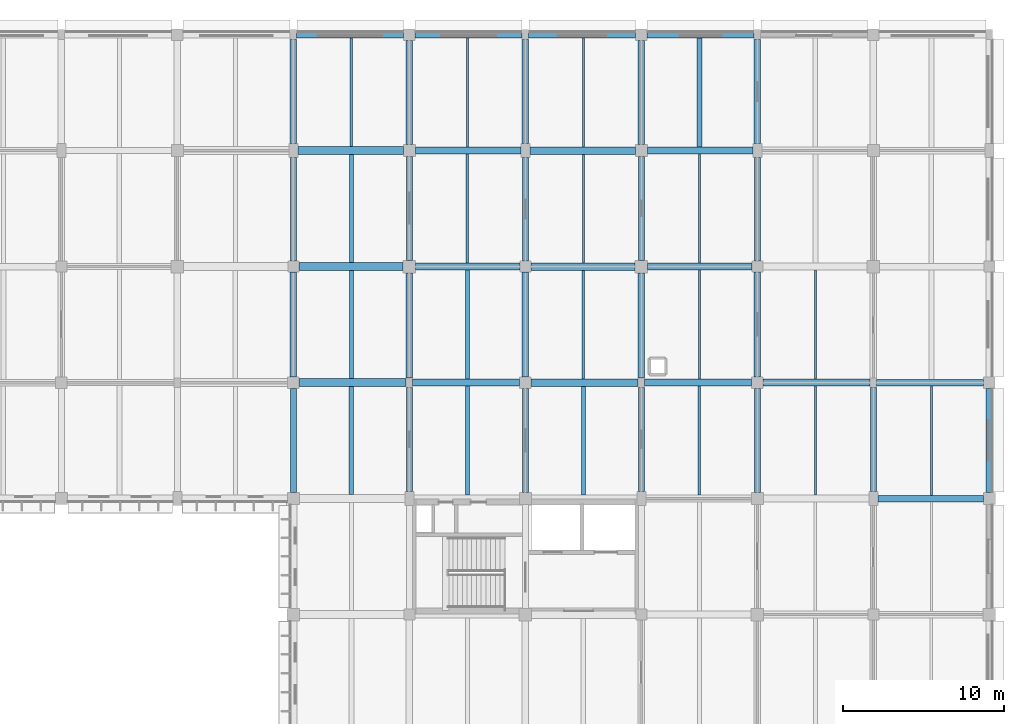
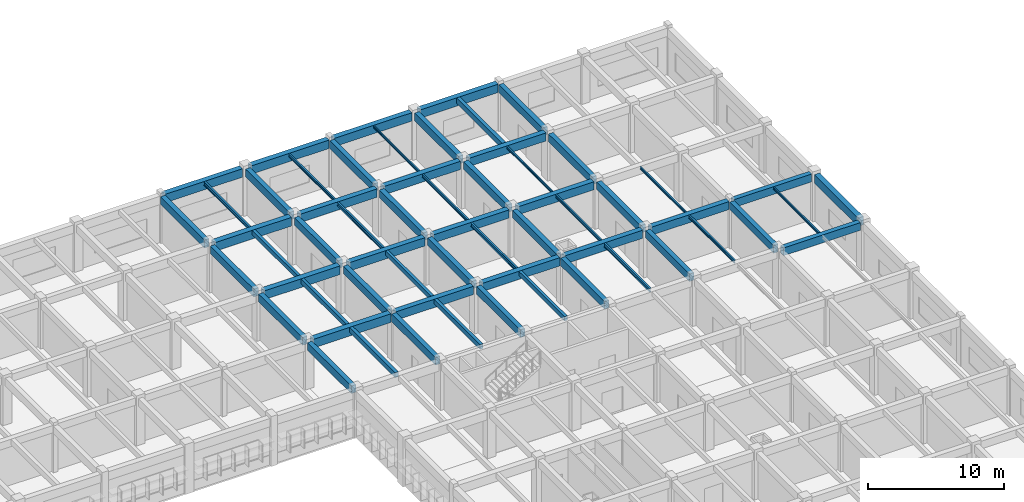
# One storey, part 13 of 61: 60 beams.
"""IFC4 building model written with IfcOpenShell, lengths in metres."""

from ifc_helpers import new_model, si_unit, direction, frame, origin, origin_2d, place, context, subcontext, project, spatial, rectangle, i_section, extrude, material, material_profile, profile_set, type_object, element, save


model = new_model("IFC4")

# Units and contexts
model_context = context("Model", 3, precision=1e-05, world=origin(), true_north=direction((0.0, 1.0)))
body_context = subcontext(model_context, "Body", "Model", "MODEL_VIEW")
ifc_project = project(units=[si_unit("LENGTHUNIT", "METRE"), si_unit("AREAUNIT", "SQUARE_METRE"), si_unit("VOLUMEUNIT", "CUBIC_METRE"), si_unit("PLANEANGLEUNIT", "RADIAN"), si_unit("MASSUNIT", "GRAM", prefix="KILO")], contexts=[model_context])

# Site, building, storey
site_placement = place(None, origin())
site = spatial("IfcSite", under=ifc_project, at=site_placement, CompositionType="ELEMENT")
building_placement = place(site_placement, origin())
building = spatial("IfcBuilding", under=site, at=building_placement, Name="Thalmaran Polytechnic", CompositionType="ELEMENT")
storey_placement = place(building_placement, frame((0.0, 0.0, 9.89990234375)))
storey = spatial("IfcBuildingStorey", under=building, at=storey_placement, Name="L02", CompositionType="ELEMENT", Elevation=9.89990234375)

# Beams
ifc_material_1 = material(Name="Concrete C40/50", Category="concrete")
ifc_material_profile_1 = material_profile(ifc_material_1, rectangle(XDim=0.449951171875, YDim=0.75, at=origin_2d()), Name="RC 450x750")
ifc_profile_set_1 = profile_set([ifc_material_profile_1], Name="Concrete C40/50")
beam_type_1 = type_object("IfcBeamType", Name="BM-RC03", PredefinedType="BEAM", material=ifc_profile_set_1)
beam_1_placement = place(storey_placement, frame((137.0, 100.800048828125, 3.85009765625), z_axis=(1.0, 0.0, 0.0), x_axis=(0.0, 1.0, 0.0)))
element("IfcBeam", 1, at=beam_1_placement, inside=storey, type_object=beam_type_1, Name="Grid Beam B03 L02 X(19,14)", PredefinedType="BEAM", context=body_context, shape_type="SweptSolid", body=[
    extrude(rectangle(XDim=0.449951171875, YDim=0.75, at=origin_2d()), origin(), (0.0, 0.0, 1.0), 6.639892578125),
])
beam_2_placement = place(storey_placement, frame((137.18994140625, 108.0, 3.85009765625), z_axis=(1.0, 0.0, 0.0), x_axis=(0.0, 1.0, 0.0)))
element("IfcBeam", 2, at=beam_2_placement, inside=storey, type_object=beam_type_1, Name="Grid Beam B03 L02 X(19,15)", PredefinedType="BEAM", context=body_context, shape_type="SweptSolid", body=[
    extrude(rectangle(XDim=0.449951171875, YDim=0.75, at=origin_2d()), origin(), (0.0, 0.0, 1.0), 6.4599609375),
])
beam_3_placement = place(storey_placement, frame((137.175048828125, 115.199951171875, 3.85009765625), z_axis=(1.0, 0.0, 0.0), x_axis=(0.0, 1.0, 0.0)))
element("IfcBeam", 3, at=beam_3_placement, inside=storey, type_object=beam_type_1, Name="Grid Beam B03 L02 X(19,16)", PredefinedType="BEAM", context=body_context, shape_type="SweptSolid", body=[
    extrude(rectangle(XDim=0.449951171875, YDim=0.75, at=origin_2d()), origin(), (0.0, 0.0, 1.0), 6.550048828125),
])
ifc_material_profile_2 = material_profile(ifc_material_1, rectangle(XDim=0.449951171875, YDim=0.72509765625, at=origin_2d()), Name="RC 450x725")
ifc_profile_set_2 = profile_set([ifc_material_profile_2], Name="Concrete C40/50")
beam_type_2 = type_object("IfcBeamType", Name="BM-RC04", PredefinedType="BEAM", material=ifc_profile_set_2)
beam_4_placement = place(storey_placement, frame((151.39990234375, 100.800048828125, 3.862548828125), z_axis=(1.0, 0.0, 0.0), x_axis=(0.0, 1.0, 0.0)))
element("IfcBeam", 4, at=beam_4_placement, inside=storey, type_object=beam_type_2, Name="Grid Beam B04 L02 X(21,14)", PredefinedType="BEAM", context=body_context, shape_type="SweptSolid", body=[
    extrude(rectangle(XDim=0.449951171875, YDim=0.72509765625, at=origin_2d()), origin(), (0.0, 0.0, 1.0), 6.64013671875),
])
beam_5_placement = place(storey_placement, frame((151.590087890625, 108.0, 3.862548828125), z_axis=(1.0, 0.0, 0.0), x_axis=(0.0, 1.0, 0.0)))
element("IfcBeam", 5, at=beam_5_placement, inside=storey, type_object=beam_type_2, Name="Grid Beam B04 L02 X(21,15)", PredefinedType="BEAM", context=body_context, shape_type="SweptSolid", body=[
    extrude(rectangle(XDim=0.449951171875, YDim=0.72509765625, at=origin_2d()), origin(), (0.0, 0.0, 1.0), 6.4599609375),
])
beam_6_placement = place(storey_placement, frame((151.574951171875, 115.199951171875, 3.862548828125), z_axis=(1.0, 0.0, 0.0), x_axis=(0.0, 1.0, 0.0)))
element("IfcBeam", 6, at=beam_6_placement, inside=storey, type_object=beam_type_2, Name="Grid Beam B04 L02 X(21,16)", PredefinedType="BEAM", context=body_context, shape_type="SweptSolid", body=[
    extrude(rectangle(XDim=0.449951171875, YDim=0.72509765625, at=origin_2d()), origin(), (0.0, 0.0, 1.0), 6.550048828125),
])
ifc_material_profile_3 = material_profile(ifc_material_1, rectangle(XDim=0.39990234375, YDim=0.699951171875, at=origin_2d()), Name="RC 400x700")
ifc_profile_set_3 = profile_set([ifc_material_profile_3], Name="Concrete C40/50")
beam_type_3 = type_object("IfcBeamType", Name="BM-RC05", PredefinedType="BEAM", material=ifc_profile_set_3)
beam_7_placement = place(storey_placement, frame((165.875, 93.60009765625, 3.875), z_axis=(1.0, 0.0, 0.0), x_axis=(0.0, 1.0, 0.0)))
element("IfcBeam", 7, at=beam_7_placement, inside=storey, type_object=beam_type_3, Name="Grid Beam B05 L02 X(23,13)", PredefinedType="BEAM", context=body_context, shape_type="SweptSolid", body=[
    extrude(rectangle(XDim=0.39990234375, YDim=0.699951171875, at=origin_2d()), origin(), (0.0, 0.0, 1.0), 6.550048828125),
])
beam_8_placement = place(storey_placement, frame((165.800048828125, 100.800048828125, 3.875), z_axis=(1.0, 0.0, 0.0), x_axis=(0.0, 1.0, 0.0)))
element("IfcBeam", 8, at=beam_8_placement, inside=storey, type_object=beam_type_3, Name="Grid Beam B05 L02 X(23,14)", PredefinedType="BEAM", context=body_context, shape_type="SweptSolid", body=[
    extrude(rectangle(XDim=0.39990234375, YDim=0.699951171875, at=origin_2d()), origin(), (0.0, 0.0, 1.0), 6.639892578125),
])
ifc_material_profile_4 = material_profile(ifc_material_1, rectangle(XDim=0.389892578125, YDim=0.68505859375, at=origin_2d()), Name="RC 390x685")
ifc_profile_set_4 = profile_set([ifc_material_profile_4], Name="Concrete C40/50")
beam_type_4 = type_object("IfcBeamType", Name="BM-RC08", PredefinedType="BEAM", material=ifc_profile_set_4)
beam_9_placement = place(storey_placement, frame((129.60009765625, 93.97509765625, 3.87255859375), z_axis=(0.0, 1.0, 0.0), x_axis=(-1.0, 0.0, 0.0)))
element("IfcBeam", 9, at=beam_9_placement, inside=storey, type_object=beam_type_4, Name="Grid Beam B08 L02 Y(18,13)", PredefinedType="BEAM", context=body_context, shape_type="SweptSolid", body=[
    extrude(rectangle(XDim=0.389892578125, YDim=0.68505859375, at=origin_2d()), origin(), (0.0, 0.0, 1.0), 6.46484375),
])
beam_10_placement = place(storey_placement, frame((136.800048828125, 94.02490234375, 3.882568359375), z_axis=(0.0, 1.0, 0.0), x_axis=(-1.0, 0.0, 0.0)))
element("IfcBeam", 10, at=beam_10_placement, inside=storey, type_object=beam_type_4, Name="Grid Beam B08 L02 Y(19,13)", PredefinedType="BEAM", context=body_context, shape_type="SweptSolid", body=[
    extrude(rectangle(XDim=0.389892578125, YDim=0.68505859375, at=origin_2d()), origin(), (0.0, 0.0, 1.0), 6.47509765625),
])
beam_11_placement = place(storey_placement, frame((144.0, 93.97509765625, 3.882568359375), z_axis=(0.0, 1.0, 0.0), x_axis=(-1.0, 0.0, 0.0)))
element("IfcBeam", 11, at=beam_11_placement, inside=storey, type_object=beam_type_4, Name="Grid Beam B08 L02 Y(20,13)", PredefinedType="BEAM", context=body_context, shape_type="SweptSolid", body=[
    extrude(rectangle(XDim=0.389892578125, YDim=0.68505859375, at=origin_2d()), origin(), (0.0, 0.0, 1.0), 6.46484375),
])
beam_12_placement = place(storey_placement, frame((151.199951171875, 94.02490234375, 3.882568359375), z_axis=(0.0, 1.0, 0.0), x_axis=(-1.0, 0.0, 0.0)))
element("IfcBeam", 12, at=beam_12_placement, inside=storey, type_object=beam_type_4, Name="Grid Beam B08 L02 Y(21,13)", PredefinedType="BEAM", context=body_context, shape_type="SweptSolid", body=[
    extrude(rectangle(XDim=0.389892578125, YDim=0.68505859375, at=origin_2d()), origin(), (0.0, 0.0, 1.0), 6.47509765625),
])
beam_13_placement = place(storey_placement, frame((158.39990234375, 93.97509765625, 3.882568359375), z_axis=(0.0, 1.0, 0.0), x_axis=(-1.0, 0.0, 0.0)))
element("IfcBeam", 13, at=beam_13_placement, inside=storey, type_object=beam_type_4, Name="Grid Beam B08 L02 Y(22,13)", PredefinedType="BEAM", context=body_context, shape_type="SweptSolid", body=[
    extrude(rectangle(XDim=0.389892578125, YDim=0.68505859375, at=origin_2d()), origin(), (0.0, 0.0, 1.0), 6.46484375),
])
beam_14_placement = place(storey_placement, frame((165.60009765625, 94.02490234375, 3.882568359375), z_axis=(0.0, 1.0, 0.0), x_axis=(-1.0, 0.0, 0.0)))
element("IfcBeam", 14, at=beam_14_placement, inside=storey, type_object=beam_type_4, Name="Grid Beam B08 L02 Y(23,13)", PredefinedType="BEAM", context=body_context, shape_type="SweptSolid", body=[
    extrude(rectangle(XDim=0.389892578125, YDim=0.68505859375, at=origin_2d()), origin(), (0.0, 0.0, 1.0), 6.47509765625),
])
ifc_material_profile_5 = material_profile(ifc_material_1, rectangle(XDim=0.389892578125, YDim=0.68994140625, at=origin_2d()), Name="RC 390x690")
ifc_profile_set_5 = profile_set([ifc_material_profile_5], Name="Concrete C40/50")
beam_type_5 = type_object("IfcBeamType", Name="BM-RC09", PredefinedType="BEAM", material=ifc_profile_set_5)
beam_15_placement = place(storey_placement, frame((129.60009765625, 108.35009765625, 3.8701171875), z_axis=(0.0, 1.0, 0.0), x_axis=(-1.0, 0.0, 0.0)))
element("IfcBeam", 15, at=beam_15_placement, inside=storey, type_object=beam_type_5, Name="Grid Beam B09 L02 Y(18,15)", PredefinedType="BEAM", context=body_context, shape_type="SweptSolid", body=[
    extrude(rectangle(XDim=0.389892578125, YDim=0.68994140625, at=origin_2d()), origin(), (0.0, 0.0, 1.0), 6.4248046875),
])
beam_16_placement = place(storey_placement, frame((136.800048828125, 108.389892578125, 3.880126953125), z_axis=(0.0, 1.0, 0.0), x_axis=(-1.0, 0.0, 0.0)))
element("IfcBeam", 16, at=beam_16_placement, inside=storey, type_object=beam_type_5, Name="Grid Beam B09 L02 Y(19,15)", PredefinedType="BEAM", context=body_context, shape_type="SweptSolid", body=[
    extrude(rectangle(XDim=0.389892578125, YDim=0.68994140625, at=origin_2d()), origin(), (0.0, 0.0, 1.0), 6.43505859375),
])
beam_17_placement = place(storey_placement, frame((144.0, 108.35009765625, 3.880126953125), z_axis=(0.0, 1.0, 0.0), x_axis=(-1.0, 0.0, 0.0)))
element("IfcBeam", 17, at=beam_17_placement, inside=storey, type_object=beam_type_5, Name="Grid Beam B09 L02 Y(20,15)", PredefinedType="BEAM", context=body_context, shape_type="SweptSolid", body=[
    extrude(rectangle(XDim=0.389892578125, YDim=0.68994140625, at=origin_2d()), origin(), (0.0, 0.0, 1.0), 6.4248046875),
])
beam_18_placement = place(storey_placement, frame((151.199951171875, 108.389892578125, 3.880126953125), z_axis=(0.0, 1.0, 0.0), x_axis=(-1.0, 0.0, 0.0)))
element("IfcBeam", 18, at=beam_18_placement, inside=storey, type_object=beam_type_5, Name="Grid Beam B09 L02 Y(21,15)", PredefinedType="BEAM", context=body_context, shape_type="SweptSolid", body=[
    extrude(rectangle(XDim=0.389892578125, YDim=0.68994140625, at=origin_2d()), origin(), (0.0, 0.0, 1.0), 6.43505859375),
])
beam_19_placement = place(storey_placement, frame((158.39990234375, 108.35009765625, 3.880126953125), z_axis=(0.0, 1.0, 0.0), x_axis=(-1.0, 0.0, 0.0)))
element("IfcBeam", 19, at=beam_19_placement, inside=storey, type_object=beam_type_5, Name="Grid Beam B09 L02 Y(22,15)", PredefinedType="BEAM", context=body_context, shape_type="SweptSolid", body=[
    extrude(rectangle(XDim=0.389892578125, YDim=0.68994140625, at=origin_2d()), origin(), (0.0, 0.0, 1.0), 6.4248046875),
])
ifc_material_profile_6 = material_profile(ifc_material_1, rectangle(XDim=0.300048828125, YDim=0.5, at=origin_2d()), Name="RC 300x500")
ifc_profile_set_6 = profile_set([ifc_material_profile_6], Name="Concrete C40/50")
beam_type_6 = type_object("IfcBeamType", Name="BM-RC11", PredefinedType="JOIST", material=ifc_profile_set_6)
beam_20_placement = place(storey_placement, frame((154.800048828125, 115.425048828125, 3.97509765625), z_axis=(0.0, 1.0, 0.0), x_axis=(-1.0, 0.0, 0.0)))
element("IfcBeam", 20, at=beam_20_placement, inside=storey, type_object=beam_type_6, Name="Secondary Floor Rib RB01 L02 (21,16)", PredefinedType="JOIST", context=body_context, shape_type="SweptSolid", body=[
    extrude(rectangle(XDim=0.300048828125, YDim=0.5, at=origin_2d()), origin(), (0.0, 0.0, 1.0), 6.75),
])
ifc_material_profile_7 = material_profile(ifc_material_1, rectangle(XDim=0.280029296875, YDim=0.449951171875, at=origin_2d()), Name="RC 280x450")
ifc_profile_set_7 = profile_set([ifc_material_profile_7], Name="Concrete C40/50")
beam_type_7 = type_object("IfcBeamType", Name="BM-RC13", PredefinedType="JOIST", material=ifc_profile_set_7)
beam_21_placement = place(storey_placement, frame((133.199951171875, 93.840087890625, 4.0), z_axis=(0.0, 1.0, 0.0), x_axis=(-1.0, 0.0, 0.0)))
element("IfcBeam", 21, at=beam_21_placement, inside=storey, type_object=beam_type_7, Name="Secondary Floor Rib RB03 L02 (18,13)", PredefinedType="JOIST", context=body_context, shape_type="SweptSolid", body=[
    extrude(rectangle(XDim=0.280029296875, YDim=0.449951171875, at=origin_2d()), origin(), (0.0, 0.0, 1.0), 6.719970703125),
])
ifc_material_2 = material(Name="Steel S355", Category="steel")
ifc_material_profile_8 = material_profile(ifc_material_2, i_section(OverallWidth=0.159912109375, OverallDepth=0.330078125, WebThickness=0.007568359375, FlangeThickness=0.011474609375, at=origin_2d()), Name="IPE 330")
ifc_profile_set_8 = profile_set([ifc_material_profile_8], Name="Steel S355")
beam_type_8 = type_object("IfcBeamType", Name="BM-SJ02", PredefinedType="JOIST", material=ifc_profile_set_8)
beam_22_placement = place(storey_placement, frame((133.199951171875, 115.43994140625, 4.06005859375), z_axis=(0.0, 1.0, 0.0), x_axis=(-1.0, 0.0, 0.0)))
element("IfcBeam", 22, at=beam_22_placement, inside=storey, type_object=beam_type_8, Name="Secondary Floor Rib SJ02 L02 (18,16)", PredefinedType="JOIST", context=body_context, shape_type="SweptSolid", body=[
    extrude(i_section(OverallWidth=0.159912109375, OverallDepth=0.330078125, WebThickness=0.007568359375, FlangeThickness=0.011474609375, at=origin_2d()), origin(), (0.0, 0.0, 1.0), 6.735107421875),
])
beam_23_placement = place(storey_placement, frame((140.39990234375, 108.22509765625, 4.06005859375), z_axis=(0.0, 1.0, 0.0), x_axis=(-1.0, 0.0, 0.0)))
element("IfcBeam", 23, at=beam_23_placement, inside=storey, type_object=beam_type_8, Name="Secondary Floor Rib SJ02 L02 (19,15)", PredefinedType="JOIST", context=body_context, shape_type="SweptSolid", body=[
    extrude(i_section(OverallWidth=0.159912109375, OverallDepth=0.330078125, WebThickness=0.007568359375, FlangeThickness=0.011474609375, at=origin_2d()), origin(), (0.0, 0.0, 1.0), 6.75),
])
beam_24_placement = place(storey_placement, frame((147.60009765625, 101.030029296875, 4.06005859375), z_axis=(0.0, 1.0, 0.0), x_axis=(-1.0, 0.0, 0.0)))
element("IfcBeam", 24, at=beam_24_placement, inside=storey, type_object=beam_type_8, Name="Secondary Floor Rib SJ02 L02 (20,14)", PredefinedType="JOIST", context=body_context, shape_type="SweptSolid", body=[
    extrude(i_section(OverallWidth=0.159912109375, OverallDepth=0.330078125, WebThickness=0.007568359375, FlangeThickness=0.011474609375, at=origin_2d()), origin(), (0.0, 0.0, 1.0), 6.739990234375),
])
beam_25_placement = place(storey_placement, frame((154.800048828125, 93.824951171875, 4.06005859375), z_axis=(0.0, 1.0, 0.0), x_axis=(-1.0, 0.0, 0.0)))
element("IfcBeam", 25, at=beam_25_placement, inside=storey, type_object=beam_type_8, Name="Secondary Floor Rib SJ02 L02 (21,13)", PredefinedType="JOIST", context=body_context, shape_type="SweptSolid", body=[
    extrude(i_section(OverallWidth=0.159912109375, OverallDepth=0.330078125, WebThickness=0.007568359375, FlangeThickness=0.011474609375, at=origin_2d()), origin(), (0.0, 0.0, 1.0), 6.75),
])
ifc_material_profile_9 = material_profile(ifc_material_2, i_section(OverallWidth=0.135009765625, OverallDepth=0.27001953125, WebThickness=0.006591796875, FlangeThickness=0.01025390625, at=origin_2d()), Name="IPE 270")
ifc_profile_set_9 = profile_set([ifc_material_profile_9], Name="Steel S355")
beam_type_9 = type_object("IfcBeamType", Name="BM-SJ03", PredefinedType="JOIST", material=ifc_profile_set_9)
beam_26_placement = place(storey_placement, frame((140.39990234375, 115.425048828125, 4.090087890625), z_axis=(0.0, 1.0, 0.0), x_axis=(-1.0, 0.0, 0.0)))
element("IfcBeam", 26, at=beam_26_placement, inside=storey, type_object=beam_type_9, Name="Secondary Floor Rib SJ03 L02 (19,16)", PredefinedType="JOIST", context=body_context, shape_type="SweptSolid", body=[
    extrude(i_section(OverallWidth=0.135009765625, OverallDepth=0.27001953125, WebThickness=0.006591796875, FlangeThickness=0.01025390625, at=origin_2d()), origin(), (0.0, 0.0, 1.0), 6.75),
])
beam_27_placement = place(storey_placement, frame((147.60009765625, 108.22998046875, 4.090087890625), z_axis=(0.0, 1.0, 0.0), x_axis=(-1.0, 0.0, 0.0)))
element("IfcBeam", 27, at=beam_27_placement, inside=storey, type_object=beam_type_9, Name="Secondary Floor Rib SJ03 L02 (20,15)", PredefinedType="JOIST", context=body_context, shape_type="SweptSolid", body=[
    extrude(i_section(OverallWidth=0.135009765625, OverallDepth=0.27001953125, WebThickness=0.006591796875, FlangeThickness=0.01025390625, at=origin_2d()), origin(), (0.0, 0.0, 1.0), 6.739990234375),
])
beam_28_placement = place(storey_placement, frame((154.800048828125, 101.02490234375, 4.090087890625), z_axis=(0.0, 1.0, 0.0), x_axis=(-1.0, 0.0, 0.0)))
element("IfcBeam", 28, at=beam_28_placement, inside=storey, type_object=beam_type_9, Name="Secondary Floor Rib SJ03 L02 (21,14)", PredefinedType="JOIST", context=body_context, shape_type="SweptSolid", body=[
    extrude(i_section(OverallWidth=0.135009765625, OverallDepth=0.27001953125, WebThickness=0.006591796875, FlangeThickness=0.01025390625, at=origin_2d()), origin(), (0.0, 0.0, 1.0), 6.75),
])
beam_29_placement = place(storey_placement, frame((162.0, 93.820068359375, 4.090087890625), z_axis=(0.0, 1.0, 0.0), x_axis=(-1.0, 0.0, 0.0)))
element("IfcBeam", 29, at=beam_29_placement, inside=storey, type_object=beam_type_9, Name="Secondary Floor Rib SJ03 L02 (22,13)", PredefinedType="JOIST", context=body_context, shape_type="SweptSolid", body=[
    extrude(i_section(OverallWidth=0.135009765625, OverallDepth=0.27001953125, WebThickness=0.006591796875, FlangeThickness=0.01025390625, at=origin_2d()), origin(), (0.0, 0.0, 1.0), 6.760009765625),
])
ifc_material_profile_10 = material_profile(ifc_material_2, i_section(OverallWidth=0.110107421875, OverallDepth=0.219970703125, WebThickness=0.005859375, FlangeThickness=0.00927734375, at=origin_2d()), Name="IPE 220")
ifc_profile_set_10 = profile_set([ifc_material_profile_10], Name="Steel S355")
beam_type_10 = type_object("IfcBeamType", Name="BM-SJ04", PredefinedType="JOIST", material=ifc_profile_set_10)
beam_30_placement = place(storey_placement, frame((147.60009765625, 115.429931640625, 4.114990234375), z_axis=(0.0, 1.0, 0.0), x_axis=(-1.0, 0.0, 0.0)))
element("IfcBeam", 30, at=beam_30_placement, inside=storey, type_object=beam_type_10, Name="Secondary Floor Rib SJ04 L02 (20,16)", PredefinedType="JOIST", context=body_context, shape_type="SweptSolid", body=[
    extrude(i_section(OverallWidth=0.110107421875, OverallDepth=0.219970703125, WebThickness=0.005859375, FlangeThickness=0.00927734375, at=origin_2d()), origin(), (0.0, 0.0, 1.0), 6.7451171875),
])
beam_31_placement = place(storey_placement, frame((154.800048828125, 108.22509765625, 4.114990234375), z_axis=(0.0, 1.0, 0.0), x_axis=(-1.0, 0.0, 0.0)))
element("IfcBeam", 31, at=beam_31_placement, inside=storey, type_object=beam_type_10, Name="Secondary Floor Rib SJ04 L02 (21,15)", PredefinedType="JOIST", context=body_context, shape_type="SweptSolid", body=[
    extrude(i_section(OverallWidth=0.110107421875, OverallDepth=0.219970703125, WebThickness=0.005859375, FlangeThickness=0.00927734375, at=origin_2d()), origin(), (0.0, 0.0, 1.0), 6.75),
])
beam_32_placement = place(storey_placement, frame((162.0, 101.02001953125, 4.114990234375), z_axis=(0.0, 1.0, 0.0), x_axis=(-1.0, 0.0, 0.0)))
element("IfcBeam", 32, at=beam_32_placement, inside=storey, type_object=beam_type_10, Name="Secondary Floor Rib SJ04 L02 (22,14)", PredefinedType="JOIST", context=body_context, shape_type="SweptSolid", body=[
    extrude(i_section(OverallWidth=0.110107421875, OverallDepth=0.219970703125, WebThickness=0.005859375, FlangeThickness=0.00927734375, at=origin_2d()), origin(), (0.0, 0.0, 1.0), 6.760009765625),
])
beam_33_placement = place(storey_placement, frame((169.199951171875, 93.800048828125, 4.114990234375), z_axis=(0.0, 1.0, 0.0), x_axis=(-1.0, 0.0, 0.0)))
element("IfcBeam", 33, at=beam_33_placement, inside=storey, type_object=beam_type_10, Name="Secondary Floor Rib SJ04 L02 (23,13)", PredefinedType="JOIST", context=body_context, shape_type="SweptSolid", body=[
    extrude(i_section(OverallWidth=0.110107421875, OverallDepth=0.219970703125, WebThickness=0.005859375, FlangeThickness=0.00927734375, at=origin_2d()), origin(), (0.0, 0.0, 1.0), 6.800048828125),
])
ifc_material_profile_11 = material_profile(ifc_material_1, rectangle(XDim=0.449951171875, YDim=0.7548828125, at=origin_2d()), Name="RC 450x755")
ifc_profile_set_11 = profile_set([ifc_material_profile_11], Name="Concrete C40/50")
beam_type_11 = type_object("IfcBeamType", Name="BM-SP02", PredefinedType="SPANDREL", material=ifc_profile_set_11)
beam_34_placement = place(storey_placement, frame((129.800048828125, 122.39990234375, 3.84765625), z_axis=(1.0, 0.0, 0.0), x_axis=(0.0, 1.0, 0.0)))
element("IfcBeam", 34, at=beam_34_placement, inside=storey, type_object=beam_type_11, Name="Grid Beam SP02 L02 X(18,17)", PredefinedType="SPANDREL", context=body_context, shape_type="SweptSolid", body=[
    extrude(rectangle(XDim=0.449951171875, YDim=0.7548828125, at=origin_2d()), origin(), (0.0, 0.0, 1.0), 6.639892578125),
])
for number, where, z_axis, x_axis, name in (
    (35, (137.159912109375, 122.39990234375, 3.84765625), (1.0, 0.0, 0.0), (0.0, 1.0, 0.0), "Grid Beam SP02 L02 X(19,17)"),
    (36, (144.199951171875, 122.39990234375, 3.84765625), (1.0, 0.0, 0.0), (0.0, 1.0, 0.0), "Grid Beam SP02 L02 X(20,17)"),
):
    element("IfcBeam", number, at=place(storey_placement, frame(where, z_axis=z_axis, x_axis=x_axis)), inside=storey, type_object=beam_type_11, Name=name, PredefinedType="SPANDREL", context=body_context, shape_type="SweptSolid", body=[
        extrude(rectangle(XDim=0.449951171875, YDim=0.7548828125, at=origin_2d()), origin(), (0.0, 0.0, 1.0), 6.64013671875),
    ])
beam_35_placement = place(storey_placement, frame((151.56005859375, 122.39990234375, 3.84765625), z_axis=(1.0, 0.0, 0.0), x_axis=(0.0, 1.0, 0.0)))
element("IfcBeam", 37, at=beam_35_placement, inside=storey, type_object=beam_type_11, Name="Grid Beam SP02 L02 X(21,17)", PredefinedType="SPANDREL", context=body_context, shape_type="SweptSolid", body=[
    extrude(rectangle(XDim=0.449951171875, YDim=0.7548828125, at=origin_2d()), origin(), (0.0, 0.0, 1.0), 6.639892578125),
])
beam_36_placement = place(storey_placement, frame((172.800048828125, 93.97509765625, 3.84765625), z_axis=(0.0, 1.0, 0.0), x_axis=(-1.0, 0.0, 0.0)))
element("IfcBeam", 38, at=beam_36_placement, inside=storey, type_object=beam_type_11, Name="Grid Beam SP02 L02 Y(24,13)", PredefinedType="SPANDREL", context=body_context, shape_type="SweptSolid", body=[
    extrude(rectangle(XDim=0.449951171875, YDim=0.7548828125, at=origin_2d()), origin(), (0.0, 0.0, 1.0), 6.46484375),
])
ifc_material_profile_12 = material_profile(ifc_material_1, rectangle(XDim=0.47998046875, YDim=0.780029296875, at=origin_2d()), Name="RC 480x780")
ifc_profile_set_12 = profile_set([ifc_material_profile_12], Name="Concrete C40/50")
beam_type_12 = type_object("IfcBeamType", Name="BM-ZB01", PredefinedType="BEAM", material=ifc_profile_set_12)
beam_37_placement = place(storey_placement, frame((129.9599609375, 100.800048828125, 3.835205078125), z_axis=(1.0, 0.0, 0.0), x_axis=(0.0, 1.0, 0.0)))
element("IfcBeam", 39, at=beam_37_placement, inside=storey, type_object=beam_type_12, Name="Grid Beam ZB01 L02 X(18,14)", PredefinedType="BEAM", context=body_context, shape_type="SweptSolid", body=[
    extrude(rectangle(XDim=0.47998046875, YDim=0.780029296875, at=origin_2d()), origin(), (0.0, 0.0, 1.0), 6.64013671875),
])
beam_38_placement = place(storey_placement, frame((129.949951171875, 108.0, 3.835205078125), z_axis=(1.0, 0.0, 0.0), x_axis=(0.0, 1.0, 0.0)))
element("IfcBeam", 40, at=beam_38_placement, inside=storey, type_object=beam_type_12, Name="Grid Beam ZB01 L02 X(18,15)", PredefinedType="BEAM", context=body_context, shape_type="SweptSolid", body=[
    extrude(rectangle(XDim=0.47998046875, YDim=0.780029296875, at=origin_2d()), origin(), (0.0, 0.0, 1.0), 6.4599609375),
])
beam_39_placement = place(storey_placement, frame((129.875, 115.199951171875, 3.835205078125), z_axis=(1.0, 0.0, 0.0), x_axis=(0.0, 1.0, 0.0)))
element("IfcBeam", 41, at=beam_39_placement, inside=storey, type_object=beam_type_12, Name="Grid Beam ZB01 L02 X(18,16)", PredefinedType="BEAM", context=body_context, shape_type="SweptSolid", body=[
    extrude(rectangle(XDim=0.47998046875, YDim=0.780029296875, at=origin_2d()), origin(), (0.0, 0.0, 1.0), 6.550048828125),
])
ifc_material_profile_13 = material_profile(ifc_material_1, rectangle(XDim=0.4599609375, YDim=0.739990234375, at=origin_2d()), Name="RC 460x740")
ifc_profile_set_13 = profile_set([ifc_material_profile_13], Name="Concrete C40/50")
beam_type_13 = type_object("IfcBeamType", Name="BM-ZB02", PredefinedType="BEAM", material=ifc_profile_set_13)
beam_40_placement = place(storey_placement, frame((144.360107421875, 100.800048828125, 3.85498046875), z_axis=(1.0, 0.0, 0.0), x_axis=(0.0, 1.0, 0.0)))
element("IfcBeam", 42, at=beam_40_placement, inside=storey, type_object=beam_type_13, Name="Grid Beam ZB02 L02 X(20,14)", PredefinedType="BEAM", context=body_context, shape_type="SweptSolid", body=[
    extrude(rectangle(XDim=0.4599609375, YDim=0.739990234375, at=origin_2d()), origin(), (0.0, 0.0, 1.0), 6.639892578125),
])
beam_41_placement = place(storey_placement, frame((144.35009765625, 108.0, 3.85498046875), z_axis=(1.0, 0.0, 0.0), x_axis=(0.0, 1.0, 0.0)))
element("IfcBeam", 43, at=beam_41_placement, inside=storey, type_object=beam_type_13, Name="Grid Beam ZB02 L02 X(20,15)", PredefinedType="BEAM", context=body_context, shape_type="SweptSolid", body=[
    extrude(rectangle(XDim=0.4599609375, YDim=0.739990234375, at=origin_2d()), origin(), (0.0, 0.0, 1.0), 6.4599609375),
])
beam_42_placement = place(storey_placement, frame((144.27490234375, 115.199951171875, 3.85498046875), z_axis=(1.0, 0.0, 0.0), x_axis=(0.0, 1.0, 0.0)))
element("IfcBeam", 44, at=beam_42_placement, inside=storey, type_object=beam_type_13, Name="Grid Beam ZB02 L02 X(20,16)", PredefinedType="BEAM", context=body_context, shape_type="SweptSolid", body=[
    extrude(rectangle(XDim=0.4599609375, YDim=0.739990234375, at=origin_2d()), origin(), (0.0, 0.0, 1.0), 6.550048828125),
])
ifc_material_profile_14 = material_profile(ifc_material_1, rectangle(XDim=0.43994140625, YDim=0.719970703125, at=origin_2d()), Name="RC 440x720")
ifc_profile_set_14 = profile_set([ifc_material_profile_14], Name="Concrete C40/50")
beam_type_14 = type_object("IfcBeamType", Name="BM-ZB03", PredefinedType="BEAM", material=ifc_profile_set_14)
beam_43_placement = place(storey_placement, frame((158.760009765625, 100.800048828125, 3.864990234375), z_axis=(1.0, 0.0, 0.0), x_axis=(0.0, 1.0, 0.0)))
element("IfcBeam", 45, at=beam_43_placement, inside=storey, type_object=beam_type_14, Name="Grid Beam ZB03 L02 X(22,14)", PredefinedType="BEAM", context=body_context, shape_type="SweptSolid", body=[
    extrude(rectangle(XDim=0.43994140625, YDim=0.719970703125, at=origin_2d()), origin(), (0.0, 0.0, 1.0), 6.639892578125),
])
ifc_material_profile_15 = material_profile(ifc_material_1, rectangle(XDim=0.39990234375, YDim=0.68505859375, at=origin_2d()), Name="RC 400x685")
ifc_profile_set_15 = profile_set([ifc_material_profile_15], Name="Concrete C40/50")
beam_type_15 = type_object("IfcBeamType", Name="BM-ZB07", PredefinedType="BEAM", material=ifc_profile_set_15)
beam_44_placement = place(storey_placement, frame((129.60009765625, 101.159912109375, 3.87255859375), z_axis=(0.0, 1.0, 0.0), x_axis=(-1.0, 0.0, 0.0)))
element("IfcBeam", 46, at=beam_44_placement, inside=storey, type_object=beam_type_15, Name="Grid Beam ZB07 L02 Y(18,14)", PredefinedType="BEAM", context=body_context, shape_type="SweptSolid", body=[
    extrude(rectangle(XDim=0.39990234375, YDim=0.68505859375, at=origin_2d()), origin(), (0.0, 0.0, 1.0), 6.489990234375),
])
beam_45_placement = place(storey_placement, frame((136.800048828125, 101.10009765625, 3.882568359375), z_axis=(0.0, 1.0, 0.0), x_axis=(-1.0, 0.0, 0.0)))
element("IfcBeam", 47, at=beam_45_placement, inside=storey, type_object=beam_type_15, Name="Grid Beam ZB07 L02 Y(19,14)", PredefinedType="BEAM", context=body_context, shape_type="SweptSolid", body=[
    extrude(rectangle(XDim=0.39990234375, YDim=0.68505859375, at=origin_2d()), origin(), (0.0, 0.0, 1.0), 6.510009765625),
])
beam_46_placement = place(storey_placement, frame((144.0, 101.159912109375, 3.882568359375), z_axis=(0.0, 1.0, 0.0), x_axis=(-1.0, 0.0, 0.0)))
element("IfcBeam", 48, at=beam_46_placement, inside=storey, type_object=beam_type_15, Name="Grid Beam ZB07 L02 Y(20,14)", PredefinedType="BEAM", context=body_context, shape_type="SweptSolid", body=[
    extrude(rectangle(XDim=0.39990234375, YDim=0.68505859375, at=origin_2d()), origin(), (0.0, 0.0, 1.0), 6.489990234375),
])
beam_47_placement = place(storey_placement, frame((151.199951171875, 101.10009765625, 3.882568359375), z_axis=(0.0, 1.0, 0.0), x_axis=(-1.0, 0.0, 0.0)))
element("IfcBeam", 49, at=beam_47_placement, inside=storey, type_object=beam_type_15, Name="Grid Beam ZB07 L02 Y(21,14)", PredefinedType="BEAM", context=body_context, shape_type="SweptSolid", body=[
    extrude(rectangle(XDim=0.39990234375, YDim=0.68505859375, at=origin_2d()), origin(), (0.0, 0.0, 1.0), 6.510009765625),
])
beam_48_placement = place(storey_placement, frame((158.39990234375, 101.159912109375, 3.882568359375), z_axis=(0.0, 1.0, 0.0), x_axis=(-1.0, 0.0, 0.0)))
element("IfcBeam", 50, at=beam_48_placement, inside=storey, type_object=beam_type_15, Name="Grid Beam ZB07 L02 Y(22,14)", PredefinedType="BEAM", context=body_context, shape_type="SweptSolid", body=[
    extrude(rectangle(XDim=0.39990234375, YDim=0.68505859375, at=origin_2d()), origin(), (0.0, 0.0, 1.0), 6.489990234375),
])
ifc_material_profile_16 = material_profile(ifc_material_1, rectangle(XDim=0.39990234375, YDim=0.695068359375, at=origin_2d()), Name="RC 400x695")
ifc_profile_set_16 = profile_set([ifc_material_profile_16], Name="Concrete C40/50")
beam_type_16 = type_object("IfcBeamType", Name="BM-ZB08", PredefinedType="BEAM", material=ifc_profile_set_16)
beam_49_placement = place(storey_placement, frame((129.60009765625, 115.625, 3.86767578125), z_axis=(0.0, 1.0, 0.0), x_axis=(-1.0, 0.0, 0.0)))
element("IfcBeam", 51, at=beam_49_placement, inside=storey, type_object=beam_type_16, Name="Grid Beam ZB08 L02 Y(18,16)", PredefinedType="BEAM", context=body_context, shape_type="SweptSolid", body=[
    extrude(rectangle(XDim=0.39990234375, YDim=0.695068359375, at=origin_2d()), origin(), (0.0, 0.0, 1.0), 6.47509765625),
])
beam_50_placement = place(storey_placement, frame((136.800048828125, 115.574951171875, 3.877685546875), z_axis=(0.0, 1.0, 0.0), x_axis=(-1.0, 0.0, 0.0)))
element("IfcBeam", 52, at=beam_50_placement, inside=storey, type_object=beam_type_16, Name="Grid Beam ZB08 L02 Y(19,16)", PredefinedType="BEAM", context=body_context, shape_type="SweptSolid", body=[
    extrude(rectangle(XDim=0.39990234375, YDim=0.695068359375, at=origin_2d()), origin(), (0.0, 0.0, 1.0), 6.465087890625),
])
beam_51_placement = place(storey_placement, frame((144.0, 115.625, 3.877685546875), z_axis=(0.0, 1.0, 0.0), x_axis=(-1.0, 0.0, 0.0)))
element("IfcBeam", 53, at=beam_51_placement, inside=storey, type_object=beam_type_16, Name="Grid Beam ZB08 L02 Y(20,16)", PredefinedType="BEAM", context=body_context, shape_type="SweptSolid", body=[
    extrude(rectangle(XDim=0.39990234375, YDim=0.695068359375, at=origin_2d()), origin(), (0.0, 0.0, 1.0), 6.47509765625),
])
beam_52_placement = place(storey_placement, frame((151.199951171875, 115.574951171875, 3.877685546875), z_axis=(0.0, 1.0, 0.0), x_axis=(-1.0, 0.0, 0.0)))
element("IfcBeam", 54, at=beam_52_placement, inside=storey, type_object=beam_type_16, Name="Grid Beam ZB08 L02 Y(21,16)", PredefinedType="BEAM", context=body_context, shape_type="SweptSolid", body=[
    extrude(rectangle(XDim=0.39990234375, YDim=0.695068359375, at=origin_2d()), origin(), (0.0, 0.0, 1.0), 6.465087890625),
])
beam_53_placement = place(storey_placement, frame((158.39990234375, 115.625, 3.877685546875), z_axis=(0.0, 1.0, 0.0), x_axis=(-1.0, 0.0, 0.0)))
element("IfcBeam", 55, at=beam_53_placement, inside=storey, type_object=beam_type_16, Name="Grid Beam ZB08 L02 Y(22,16)", PredefinedType="BEAM", context=body_context, shape_type="SweptSolid", body=[
    extrude(rectangle(XDim=0.39990234375, YDim=0.695068359375, at=origin_2d()), origin(), (0.0, 0.0, 1.0), 6.47509765625),
])
ifc_material_profile_17 = material_profile(ifc_material_1, rectangle(XDim=0.25, YDim=0.419921875, at=origin_2d()), Name="RC 250x420")
ifc_profile_set_17 = profile_set([ifc_material_profile_17], Name="Concrete C40/50")
beam_type_17 = type_object("IfcBeamType", Name="BM-ZJ03", PredefinedType="JOIST", material=ifc_profile_set_17)
beam_54_placement = place(storey_placement, frame((133.199951171875, 101.0400390625, 4.01513671875), z_axis=(0.0, 1.0, 0.0), x_axis=(-1.0, 0.0, 0.0)))
element("IfcBeam", 56, at=beam_54_placement, inside=storey, type_object=beam_type_17, Name="Secondary Floor Rib ZJ03 L02 (18,14)", PredefinedType="JOIST", context=body_context, shape_type="SweptSolid", body=[
    extrude(rectangle(XDim=0.25, YDim=0.419921875, at=origin_2d()), origin(), (0.0, 0.0, 1.0), 6.719970703125),
])
beam_55_placement = place(storey_placement, frame((140.39990234375, 93.824951171875, 4.01513671875), z_axis=(0.0, 1.0, 0.0), x_axis=(-1.0, 0.0, 0.0)))
element("IfcBeam", 57, at=beam_55_placement, inside=storey, type_object=beam_type_17, Name="Secondary Floor Rib ZJ03 L02 (19,13)", PredefinedType="JOIST", context=body_context, shape_type="SweptSolid", body=[
    extrude(rectangle(XDim=0.25, YDim=0.419921875, at=origin_2d()), origin(), (0.0, 0.0, 1.0), 6.75),
])
ifc_material_profile_18 = material_profile(ifc_material_1, rectangle(XDim=0.239990234375, YDim=0.39990234375, at=origin_2d()), Name="RC 240x400")
ifc_profile_set_18 = profile_set([ifc_material_profile_18], Name="Concrete C40/50")
beam_type_18 = type_object("IfcBeamType", Name="BM-ZJ04", PredefinedType="JOIST", material=ifc_profile_set_18)
beam_56_placement = place(storey_placement, frame((133.199951171875, 108.239990234375, 4.025146484375), z_axis=(0.0, 1.0, 0.0), x_axis=(-1.0, 0.0, 0.0)))
element("IfcBeam", 58, at=beam_56_placement, inside=storey, type_object=beam_type_18, Name="Secondary Floor Rib ZJ04 L02 (18,15)", PredefinedType="JOIST", context=body_context, shape_type="SweptSolid", body=[
    extrude(rectangle(XDim=0.239990234375, YDim=0.39990234375, at=origin_2d()), origin(), (0.0, 0.0, 1.0), 6.719970703125),
])
beam_57_placement = place(storey_placement, frame((140.39990234375, 101.02490234375, 4.025146484375), z_axis=(0.0, 1.0, 0.0), x_axis=(-1.0, 0.0, 0.0)))
element("IfcBeam", 59, at=beam_57_placement, inside=storey, type_object=beam_type_18, Name="Secondary Floor Rib ZJ04 L02 (19,14)", PredefinedType="JOIST", context=body_context, shape_type="SweptSolid", body=[
    extrude(rectangle(XDim=0.239990234375, YDim=0.39990234375, at=origin_2d()), origin(), (0.0, 0.0, 1.0), 6.75),
])
beam_58_placement = place(storey_placement, frame((147.60009765625, 93.830078125, 4.025146484375), z_axis=(0.0, 1.0, 0.0), x_axis=(-1.0, 0.0, 0.0)))
element("IfcBeam", 60, at=beam_58_placement, inside=storey, type_object=beam_type_18, Name="Secondary Floor Rib ZJ04 L02 (20,13)", PredefinedType="JOIST", context=body_context, shape_type="SweptSolid", body=[
    extrude(rectangle(XDim=0.239990234375, YDim=0.39990234375, at=origin_2d()), origin(), (0.0, 0.0, 1.0), 6.739990234375),
])

save(model, "model.ifc")
